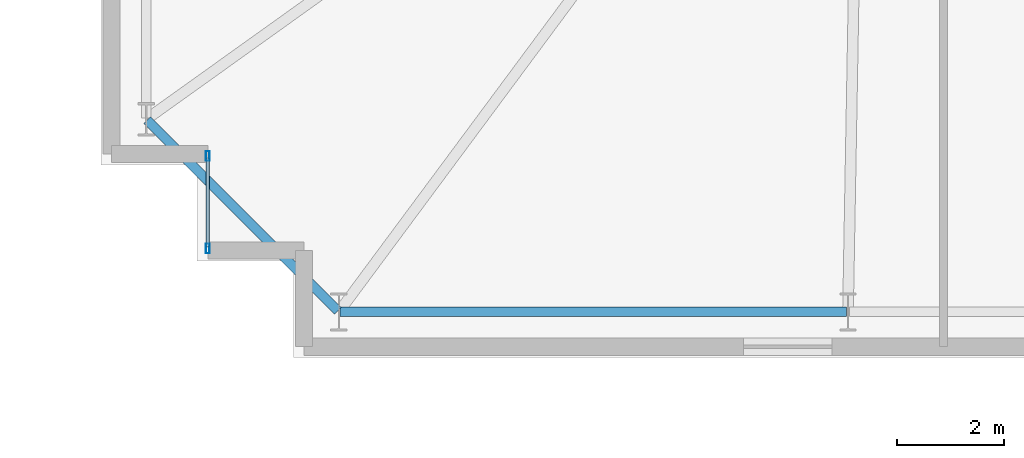
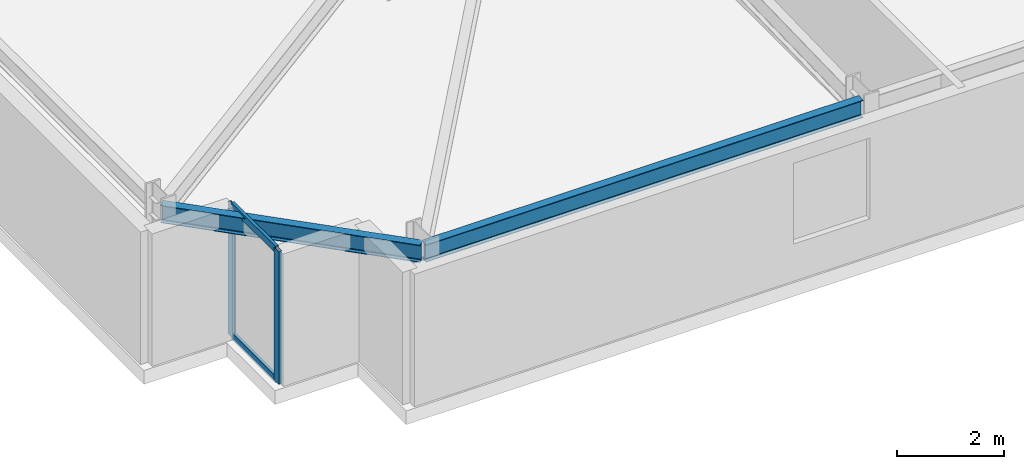
# One storey, part 4 of 24: 4 members, 2 beams, 1 element without a shape of its own.
"""IFC4 building model written with IfcOpenShell, lengths in metres."""

from ifc_helpers import new_model, si_unit, direction, frame, origin, origin_2d, place, context, subcontext, project, spatial, hollow_rectangle, i_section, extrude, material, layer, layer_set, material_profile, profile_set, type_object, element, aggregate, save


model = new_model("IFC4")

# Units and contexts
model_context = context("Model", 3, precision=1e-05, world=origin(), true_north=direction((0.0, 1.0)))
body_context = subcontext(model_context, "Body", "Model", "MODEL_VIEW")
ifc_project = project(units=[si_unit("LENGTHUNIT", "METRE"), si_unit("AREAUNIT", "SQUARE_METRE"), si_unit("VOLUMEUNIT", "CUBIC_METRE"), si_unit("PLANEANGLEUNIT", "RADIAN"), si_unit("MASSUNIT", "GRAM", prefix="KILO")], contexts=[model_context])

# Site, building, storey
site_placement = place(None, origin())
site = spatial("IfcSite", under=ifc_project, at=site_placement, CompositionType="ELEMENT")
building_placement = place(site_placement, origin())
building = spatial("IfcBuilding", under=site, at=building_placement, Name="Qobustan Lattice House", CompositionType="ELEMENT")
storey_placement = place(building_placement, frame((0.0, 0.0, 43.75)))
storey = spatial("IfcBuildingStorey", under=building, at=storey_placement, Name="L11", CompositionType="ELEMENT", Elevation=43.75)

# Beams
ifc_material_1 = material(Name="Steel S355", Category="steel")
ifc_material_profile_1 = material_profile(ifc_material_1, i_section(OverallWidth=0.179931640625, OverallDepth=0.39990234375, WebThickness=0.008544921875, FlangeThickness=0.013427734375, FilletRadius=0.02099609375, at=origin_2d()), Name="IPE400")
ifc_profile_set_1 = profile_set([ifc_material_profile_1], Name="Steel S355")
beam_type = type_object("IfcBeamType", Name="BM-SPD-IPE400", PredefinedType="SPANDREL", material=ifc_profile_set_1)
beam_1_placement = place(storey_placement, frame((-28.52490234375, -18.75, 2.8349609375), z_axis=(1.0, 0.0, 0.0), x_axis=(0.0, 1.0, 0.0)))
element("IfcBeam", 1, at=beam_1_placement, inside=storey, type_object=beam_type, Name="L11 perimeter spandrel S1-S2", PredefinedType="SPANDREL", context=body_context, shape_type="SweptSolid", body=[
    extrude(i_section(OverallWidth=0.179931640625, OverallDepth=0.39990234375, WebThickness=0.008544921875, FlangeThickness=0.013427734375, FilletRadius=0.02099609375, at=origin_2d()), origin(), (0.0, 0.0, 1.0), 9.466552734375),
])
beam_2_placement = place(storey_placement, frame((-32.13232421875, -15.167724609375, 2.8349609375), z_axis=(0.707106781187, -0.707106781187, 0.0), x_axis=(0.707106781187, 0.707106781187, 0.0)))
element("IfcBeam", 2, at=beam_2_placement, inside=storey, type_object=beam_type, Name="L11 perimeter spandrel W4-S1", PredefinedType="SPANDREL", context=body_context, shape_type="SweptSolid", body=[
    extrude(i_section(OverallWidth=0.179931640625, OverallDepth=0.39990234375, WebThickness=0.008544921875, FlangeThickness=0.013427734375, FilletRadius=0.02099609375, at=origin_2d()), origin(), (0.0, 0.0, 1.0), 5.041259765625),
])

# Curtain wall, members
ifc_material_2 = material(Name="Anodised aluminium and low-E glazing", Category="aluminium")
ifc_layer = layer(ifc_material_2, 0.219970703125)
ifc_layer_set = layer_set([ifc_layer], Name="Anodised aluminium and low-E glazing")
curtain_wall_type = type_object("IfcCurtainWallType", Name="CW-FAC-01", PredefinedType="USERDEFINED", material=ifc_layer_set)
curtain_wall_placement = place(storey_placement, origin())
curtain_wall = element("IfcCurtainWall", 3, at=curtain_wall_placement, inside=storey, type_object=curtain_wall_type, Name="L11 serrated corner faceted glazing 3", ObjectType="CURTAIN WALL", PredefinedType="USERDEFINED")
ifc_material_3 = material(Name="Anodised aluminium EN AW-6063 T6", Category="aluminium")
ifc_material_profile_2 = material_profile(ifc_material_3, hollow_rectangle(XDim=0.070068359375, YDim=0.179931640625, WallThickness=0.00439453125, at=origin_2d()), Name="CWM-180x70")
ifc_profile_set_2 = profile_set([ifc_material_profile_2], Name="Anodised aluminium EN AW-6063 T6")
member_type_1 = type_object("IfcMemberType", Name="CWM-STD-180", PredefinedType="MULLION", material=ifc_profile_set_2)
member_1_placement = place(storey_placement, frame((-31.0, -17.56494140625, 0.0), z_axis=(0.0, 0.0, 1.0), x_axis=(-1.0, 0.0, 0.0)))
member_1 = element("IfcMember", 4, at=member_1_placement, type_object=member_type_1, Name="CW-F1 mullion 1", PredefinedType="MULLION", context=body_context, shape_type="SweptSolid", body=[
    extrude(hollow_rectangle(XDim=0.070068359375, YDim=0.179931640625, WallThickness=0.00439453125, at=origin_2d()), origin(), (0.0, 0.0, 1.0), 3.034912109375),
])
member_2_placement = place(storey_placement, frame((-31.0, -15.8349609375, 0.0), z_axis=(0.0, 0.0, 1.0), x_axis=(-1.0, 0.0, 0.0)))
member_2 = element("IfcMember", 5, at=member_2_placement, type_object=member_type_1, Name="CW-F1 mullion 2", PredefinedType="MULLION", context=body_context, shape_type="SweptSolid", body=[
    extrude(hollow_rectangle(XDim=0.070068359375, YDim=0.179931640625, WallThickness=0.00439453125, at=origin_2d()), origin(), (0.0, 0.0, 1.0), 3.034912109375),
])
ifc_material_4 = material(Name="Anodised aluminium EN AW-6063 T6", Category="aluminium")
ifc_material_profile_3 = material_profile(ifc_material_4, hollow_rectangle(XDim=0.06494140625, YDim=0.159912109375, WallThickness=0.00390625, at=origin_2d()), Name="CWT-160x65")
ifc_profile_set_3 = profile_set([ifc_material_profile_3], Name="Anodised aluminium EN AW-6063 T6")
member_type_2 = type_object("IfcMemberType", Name="CWT-HOR-160", PredefinedType="USERDEFINED", material=ifc_profile_set_3)
member_3_placement = place(storey_placement, frame((-31.0, -17.530029296875, 0.032470703125), z_axis=(0.0, 1.0, 0.0), x_axis=(-1.0, 0.0, 0.0)))
member_3 = element("IfcMember", 6, at=member_3_placement, type_object=member_type_2, Name="CW-F1 transom 1.1", ObjectType="TRANSOM", PredefinedType="USERDEFINED", context=body_context, shape_type="SweptSolid", body=[
    extrude(hollow_rectangle(XDim=0.06494140625, YDim=0.159912109375, WallThickness=0.00390625, at=origin_2d()), origin(), (0.0, 0.0, 1.0), 1.659912109375),
])
member_4_placement = place(storey_placement, frame((-31.0, -17.530029296875, 3.00244140625), z_axis=(0.0, 1.0, 0.0), x_axis=(-1.0, 0.0, 0.0)))
member_4 = element("IfcMember", 7, at=member_4_placement, type_object=member_type_2, Name="CW-F1 transom 1.2", ObjectType="TRANSOM", PredefinedType="USERDEFINED", context=body_context, shape_type="SweptSolid", body=[
    extrude(hollow_rectangle(XDim=0.06494140625, YDim=0.159912109375, WallThickness=0.00390625, at=origin_2d()), origin(), (0.0, 0.0, 1.0), 1.659912109375),
])
aggregate(curtain_wall, [member_1, member_2, member_3, member_4])

save(model, "model.ifc")
